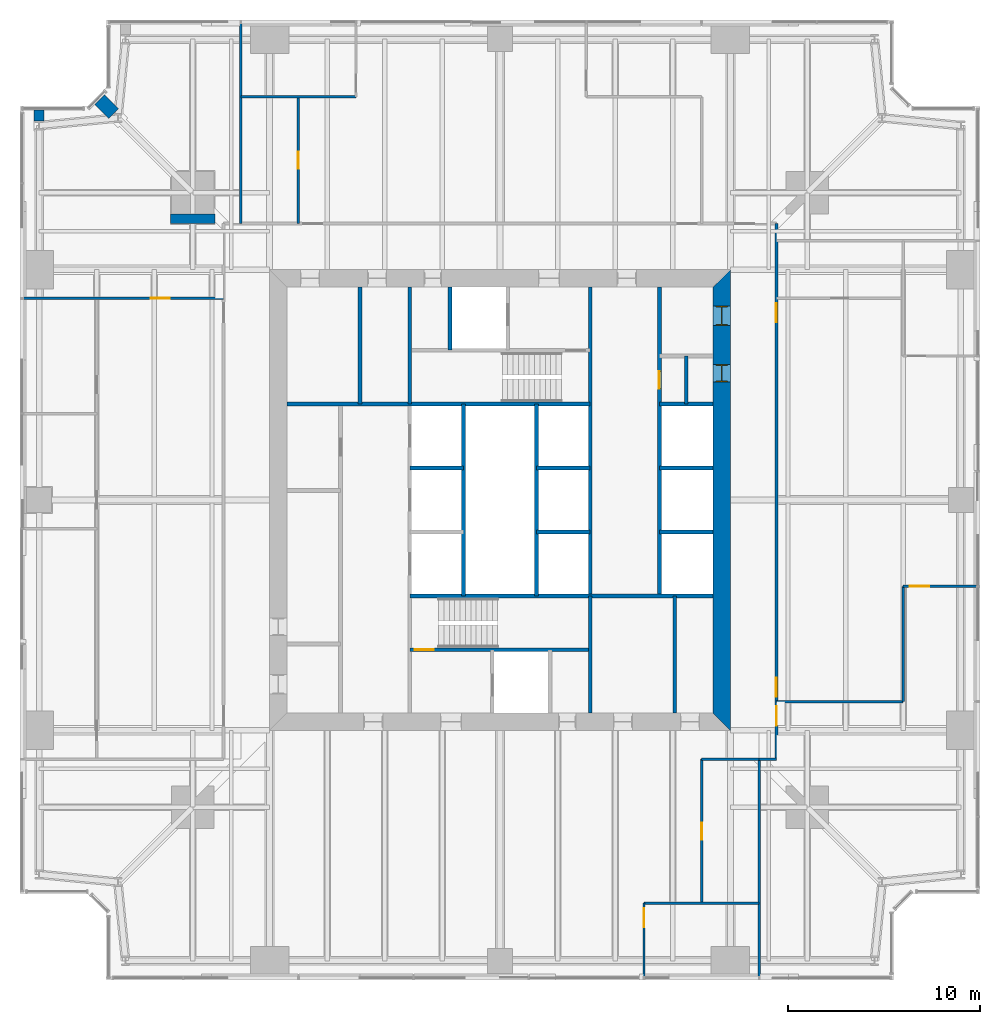
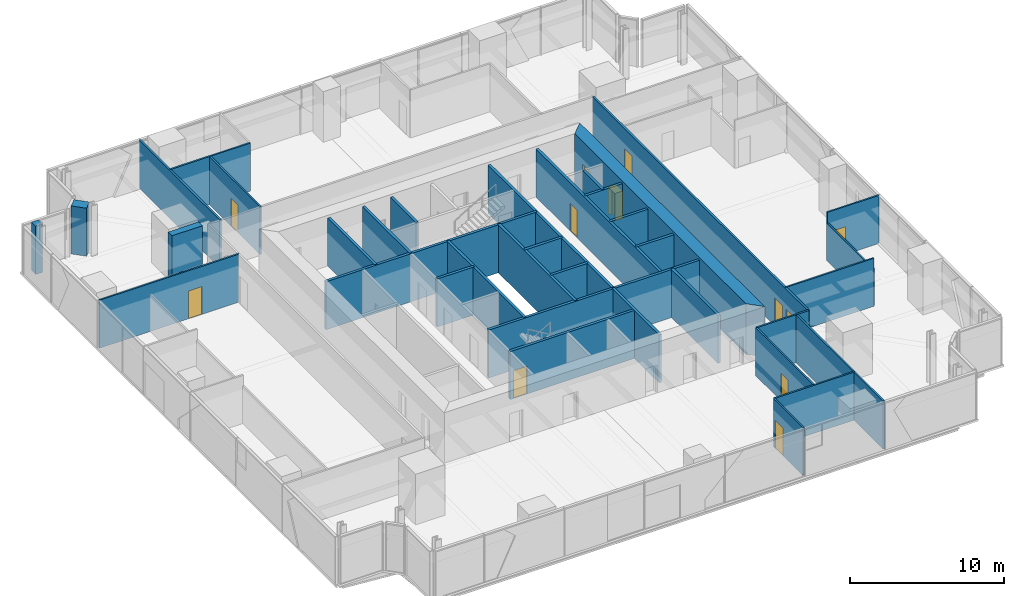
# One storey, part 10 of 13: 37 walls, 12 doors, 12 openings.
"""IFC4 building model written with IfcOpenShell, lengths in metres."""

from ifc_helpers import new_model, si_unit, direction, frame, frame_2d, origin, place, context, subcontext, project, spatial, polyline, rectangle, outline, extrude, material, layer, layer_set, type_object, element, fill, save


model = new_model("IFC4")

# Units and contexts
model_context = context("Model", 3, precision=1e-05, world=origin(), true_north=direction((0.0, 1.0)))
body_context = subcontext(model_context, "Body", "Model", "MODEL_VIEW")
ifc_project = project(units=[si_unit("LENGTHUNIT", "METRE"), si_unit("AREAUNIT", "SQUARE_METRE"), si_unit("VOLUMEUNIT", "CUBIC_METRE"), si_unit("PLANEANGLEUNIT", "RADIAN"), si_unit("MASSUNIT", "GRAM", prefix="KILO")], contexts=[model_context])

# Site, building, storey
site_placement = place(None, origin())
site = spatial("IfcSite", under=ifc_project, at=site_placement, CompositionType="ELEMENT")
building_placement = place(site_placement, origin())
building = spatial("IfcBuilding", under=site, at=building_placement, Name="Fenwick Lantern Interchange", CompositionType="ELEMENT")
storey_placement = place(building_placement, frame((0.0, 0.0, 158.39990234375)))
storey = spatial("IfcBuildingStorey", under=building, at=storey_placement, Name="L37", CompositionType="ELEMENT", Elevation=158.39990234375)

# Walls
ifc_material_1 = material(Name="Fire-rated gypsum board encasement on steel studs, 2 hour", Category="steel")
ifc_layer_1 = layer(ifc_material_1, 2.300048828125)
ifc_layer_set_1 = layer_set([ifc_layer_1], Name="COLUMN PIER 2300")
wall_type_1 = type_object("IfcWallType", Name="COLUMN PIER 2300", PredefinedType="PARTITIONING", material=ifc_layer_set_1)
wall_1_placement = place(storey_placement, frame((9.0, 39.39990234375, 0.0), z_axis=(0.0, 0.0, 1.0), x_axis=(0.0, 1.0, 0.0)))
element("IfcWall", 1, at=wall_1_placement, inside=storey, type_object=wall_type_1, Name="L37/W/PIER/M4", PredefinedType="PARTITIONING", context=body_context, shape_type="SweptSolid", body=[
    extrude(rectangle(XDim=0.5, YDim=2.300048828125, at=frame_2d((0.25, 0.0))), origin(), (0.0, 0.0, 1.0), 3.800048828125),
])
ifc_layer_2 = layer(ifc_material_1, 0.52392578125)
ifc_layer_set_2 = layer_set([ifc_layer_2], Name="COLUMN PIER 524")
wall_type_2 = type_object("IfcWallType", Name="COLUMN PIER 524", PredefinedType="PARTITIONING", material=ifc_layer_set_2)
wall_2_placement = place(storey_placement, frame((1.0, 45.300048828125, 0.0), z_axis=(0.0, 0.0, 1.0), x_axis=(0.0, -1.0, 0.0)))
element("IfcWall", 2, at=wall_2_placement, inside=storey, type_object=wall_type_2, Name="L37/W/PIER/CW1", PredefinedType="PARTITIONING", context=body_context, shape_type="SweptSolid", body=[
    extrude(rectangle(XDim=0.5625, YDim=0.52392578125, at=frame_2d((0.28125, 0.0))), origin(), (0.0, 0.0, 1.0), 3.800048828125),
])
ifc_layer_3 = layer(ifc_material_1, 0.736083984375)
ifc_layer_set_3 = layer_set([ifc_layer_3], Name="COLUMN PIER 736")
wall_type_3 = type_object("IfcWallType", Name="COLUMN PIER 736", PredefinedType="PARTITIONING", material=ifc_layer_set_3)
wall_3_placement = place(storey_placement, frame((4.141357421875, 45.858642578125, 0.0), z_axis=(0.0, 0.0, 1.0), x_axis=(0.707106781187, -0.707106781187, 0.0)))
element("IfcWall", 3, at=wall_3_placement, inside=storey, type_object=wall_type_3, Name="L37/W/PIER/CNR", PredefinedType="PARTITIONING", context=body_context, shape_type="SweptSolid", body=[
    extrude(rectangle(XDim=1.037841796875, YDim=0.736083984375, at=frame_2d((0.51904296875, 0.0))), origin(), (0.0, 0.0, 1.0), 3.800048828125),
])
ifc_material_2 = material(Name="Concrete masonry ASTM C90 Grade N", Category="masonry")
ifc_layer_4 = layer(ifc_material_2, 0.199951171875)
ifc_layer_set_4 = layer_set([ifc_layer_4], Name="Concrete masonry ASTM C90 Grade N")
wall_type_4 = type_object("IfcWallType", Name="CORE PARTITION 200", PredefinedType="PARTITIONING", material=ifc_layer_set_4)
wall_4_placement = place(storey_placement, frame((20.300048828125, 26.666748046875, 0.0), z_axis=(0.0, 0.0, 1.0), x_axis=(1.0, 0.0, 0.0)))
element("IfcWall", 4, at=wall_4_placement, inside=storey, type_object=wall_type_4, Name="L37/W/CORES/e2", PredefinedType="PARTITIONING", context=body_context, shape_type="SweptSolid", body=[
    extrude(rectangle(XDim=2.800048828125, YDim=0.199951171875, at=frame_2d((1.39990234375, 0.0))), origin(), (0.0, 0.0, 1.0), 3.800048828125),
])
wall_5_placement = place(storey_placement, frame((23.10009765625, 20.0, 0.0), z_axis=(0.0, 0.0, 1.0), x_axis=(0.0, 1.0, 0.0)))
element("IfcWall", 5, at=wall_5_placement, inside=storey, type_object=wall_type_4, Name="L37/W/CORES/e3", PredefinedType="PARTITIONING", context=body_context, shape_type="SweptSolid", body=[
    extrude(rectangle(XDim=10.0, YDim=0.199951171875, at=frame_2d((5.0, 0.0))), origin(), (0.0, 0.0, 1.0), 3.800048828125),
])
wall_6_placement = place(storey_placement, frame((34.10009765625, 13.89990234375, 0.0), z_axis=(0.0, 0.0, 1.0), x_axis=(0.0, 1.0, 0.0)))
element("IfcWall", 6, at=wall_6_placement, inside=storey, type_object=wall_type_4, Name="L37/W/CORES/i2", PredefinedType="PARTITIONING", context=body_context, shape_type="SweptSolid", body=[
    extrude(rectangle(XDim=6.10009765625, YDim=0.199951171875, at=frame_2d((3.050048828125, 0.0))), origin(), (0.0, 0.0, 1.0), 3.800048828125),
])

# Wall, opening, door
wall_7_placement = place(storey_placement, frame((33.300048828125, 36.10009765625, 0.0), z_axis=(0.0, 0.0, 1.0), x_axis=(0.0, -1.0, 0.0)))
wall_7 = element("IfcWall", 7, at=wall_7_placement, inside=storey, type_object=wall_type_4, Name="L37/W/COREN/a", PredefinedType="PARTITIONING", context=body_context, shape_type="SweptSolid", body=[
    extrude(rectangle(XDim=16.10009765625, YDim=0.199951171875, at=frame_2d((8.050048828125, 0.0))), origin(), (0.0, 0.0, 1.0), 3.800048828125),
])
opening_1_placement = place(wall_7_placement, frame((4.39990234375, 0.0, 0.0)))
opening_1 = element("IfcOpeningElement", 8, at=opening_1_placement, cuts=wall_7, Name="Opening L37-D017", PredefinedType="OPENING", context=body_context, shape_type="SweptSolid", body=[
    extrude(rectangle(XDim=0.89990234375, YDim=2.199951171875, at=frame_2d((0.449951171875, 1.10009765625))), frame((0.0, 0.10986328125, 0.0), z_axis=(0.0, -1.0, 0.0), x_axis=(1.0, 0.0, 0.0)), (0.0, 0.0, 1.0), 0.219970703125),
])
ifc_material_3 = material(Name="Steel door and frame", Category="steel")
door_type_1 = type_object("IfcDoorType", Name="SERVICE DOOR 900 X 2200", OperationType="SINGLE_SWING_LEFT", PredefinedType="DOOR", material=ifc_material_3)
door_1_placement = place(opening_1_placement, origin())
door_1 = element("IfcDoor", 9, at=door_1_placement, inside=storey, type_object=door_type_1, Name="Service door", OperationType="SINGLE_SWING_LEFT", OverallHeight=2.199951171875, OverallWidth=0.89990234375, PredefinedType="DOOR", context=body_context, shape_type="SweptSolid", body=[
    extrude(rectangle(XDim=0.89990234375, YDim=2.199951171875, at=frame_2d((0.449951171875, 1.10009765625))), frame((0.0, 0.02490234375, 0.0), z_axis=(0.0, -1.0, 0.0), x_axis=(1.0, 0.0, 0.0)), (0.0, 0.0, 1.0), 0.050048828125),
])
fill(opening_1, door_1)

# Walls
for number, where, z_axis, x_axis, name in (
    (10, (36.10009765625, 30.0, 0.0), (0.0, 0.0, 1.0), (-1.0, 0.0, 0.0), "L37/W/COREN/c2"),
    (11, (36.10009765625, 26.666748046875, 0.0), (0.0, 0.0, 1.0), (-1.0, 0.0, 0.0), "L37/W/COREN/d1"),
    (12, (36.10009765625, 23.333251953125, 0.0), (0.0, 0.0, 1.0), (-1.0, 0.0, 0.0), "L37/W/COREN/d2"),
    (13, (29.699951171875, 26.666748046875, 0.0), (0.0, 0.0, 1.0), (-1.0, 0.0, 0.0), "L37/W/COREN/e1"),
    (14, (29.699951171875, 23.333251953125, 0.0), (0.0, 0.0, 1.0), (-1.0, 0.0, 0.0), "L37/W/COREN/e2"),
):
    element("IfcWall", number, at=place(storey_placement, frame(where, z_axis=z_axis, x_axis=x_axis)), inside=storey, type_object=wall_type_4, Name=name, PredefinedType="PARTITIONING", context=body_context, shape_type="SweptSolid", body=[
        extrude(rectangle(XDim=2.800048828125, YDim=0.199951171875, at=frame_2d((1.39990234375, 0.0))), origin(), (0.0, 0.0, 1.0), 3.800048828125),
    ])
wall_8_placement = place(storey_placement, frame((26.89990234375, 30.0, 0.0), z_axis=(0.0, 0.0, 1.0), x_axis=(0.0, -1.0, 0.0)))
element("IfcWall", 15, at=wall_8_placement, inside=storey, type_object=wall_type_4, Name="L37/W/COREN/e3", PredefinedType="PARTITIONING", context=body_context, shape_type="SweptSolid", body=[
    extrude(rectangle(XDim=10.0, YDim=0.199951171875, at=frame_2d((5.0, 0.0))), origin(), (0.0, 0.0, 1.0), 3.800048828125),
])
wall_9_placement = place(storey_placement, frame((22.39990234375, 36.10009765625, 0.0), z_axis=(0.0, 0.0, 1.0), x_axis=(0.0, -1.0, 0.0)))
element("IfcWall", 16, at=wall_9_placement, inside=storey, type_object=wall_type_4, Name="L37/W/COREN/h2", PredefinedType="PARTITIONING", context=body_context, shape_type="SweptSolid", body=[
    extrude(rectangle(XDim=3.300048828125, YDim=0.199951171875, at=frame_2d((1.64990234375, 0.0))), origin(), (0.0, 0.0, 1.0), 3.800048828125),
])
wall_10_placement = place(storey_placement, frame((17.699951171875, 36.10009765625, 0.0), z_axis=(0.0, 0.0, 1.0), x_axis=(0.0, -1.0, 0.0)))
element("IfcWall", 17, at=wall_10_placement, inside=storey, type_object=wall_type_4, Name="L37/W/COREN/i2", PredefinedType="PARTITIONING", context=body_context, shape_type="SweptSolid", body=[
    extrude(rectangle(XDim=6.10009765625, YDim=0.199951171875, at=frame_2d((3.050048828125, 0.0))), origin(), (0.0, 0.0, 1.0), 3.800048828125),
])
wall_11_placement = place(storey_placement, frame((34.699951171875, 32.5, 0.0), z_axis=(0.0, 0.0, 1.0), x_axis=(0.0, -1.0, 0.0)))
element("IfcWall", 18, at=wall_11_placement, inside=storey, type_object=wall_type_4, Name="L37/W/COREN/px", PredefinedType="PARTITIONING", context=body_context, shape_type="SweptSolid", body=[
    extrude(rectangle(XDim=2.5, YDim=0.199951171875, at=frame_2d((1.25, 0.0))), origin(), (0.0, 0.0, 1.0), 3.800048828125),
])

# Wall, openings, doors
ifc_material_4 = material(Name="Concrete f'c 70 MPa", Category="concrete")
ifc_layer_5 = layer(ifc_material_4, 0.89990234375)
ifc_layer_set_5 = layer_set([ifc_layer_5], Name="CORE WALL 900")
wall_type_5 = type_object("IfcWallType", Name="CORE WALL 900", PredefinedType="SHEAR", material=ifc_layer_set_5)
wall_12_placement = place(storey_placement, frame((36.550048828125, 13.89990234375, 0.0), z_axis=(0.0, 0.0, 1.0), x_axis=(0.0, 1.0, 0.0)))
wall_12 = element("IfcWall", 19, at=wall_12_placement, inside=storey, type_object=wall_type_5, Name="L37/CORE/E", PredefinedType="SHEAR", context=body_context, shape_type="SweptSolid", body=[
    extrude(outline(polyline([(-0.89990234375, -0.449951171875), (23.10009765625, -0.449951171875), (22.199951171875, 0.449951171875), (0.0, 0.449951171875), (-0.89990234375, -0.449951171875)])), origin(), (0.0, 0.0, 1.0), 4.0),
])
opening_2_placement = place(wall_12_placement, frame((20.199951171875, 0.0, 0.0)))
opening_2 = element("IfcOpeningElement", 20, at=opening_2_placement, cuts=wall_12, Name="Opening L37-D016", PredefinedType="OPENING", context=body_context, shape_type="SweptSolid", body=[
    extrude(rectangle(XDim=1.0, YDim=2.199951171875, at=frame_2d((0.5, 1.10009765625))), frame((0.0, 0.4599609375, 0.0), z_axis=(0.0, -1.0, 0.0), x_axis=(1.0, 0.0, 0.0)), (0.0, 0.0, 1.0), 0.919921875),
])
opening_3_placement = place(wall_12_placement, frame((17.25, 0.0, 0.0)))
opening_3 = element("IfcOpeningElement", 21, at=opening_3_placement, cuts=wall_12, Name="Opening L37-D018", PredefinedType="OPENING", context=body_context, shape_type="SweptSolid", body=[
    extrude(rectangle(XDim=0.89990234375, YDim=2.199951171875, at=frame_2d((0.449951171875, 1.10009765625))), frame((0.0, 0.4599609375, 0.0), z_axis=(0.0, -1.0, 0.0), x_axis=(1.0, 0.0, 0.0)), (0.0, 0.0, 1.0), 0.919921875),
])
door_2_placement = place(opening_3_placement, origin())
door_2 = element("IfcDoor", 22, at=door_2_placement, inside=storey, type_object=door_type_1, Name="Service door", OperationType="SINGLE_SWING_RIGHT", OverallHeight=2.199951171875, OverallWidth=0.89990234375, PredefinedType="DOOR", context=body_context, shape_type="SweptSolid", body=[
    extrude(rectangle(XDim=0.89990234375, YDim=2.199951171875, at=frame_2d((0.449951171875, 1.10009765625))), frame((0.0, 0.02490234375, 0.0), z_axis=(0.0, -1.0, 0.0), x_axis=(1.0, 0.0, 0.0)), (0.0, 0.0, 1.0), 0.050048828125),
    extrude(outline(polyline([(0.0, 0.0), (0.0400390625, 0.0), (0.0400390625, 2.159912109375), (0.85986328125, 2.159912109375), (0.85986328125, 0.0), (0.89990234375, 0.0), (0.89990234375, 2.199951171875), (0.0, 2.199951171875), (0.0, 0.0)])), frame((0.0, 0.300048828125, 0.0), z_axis=(0.0, -1.0, 0.0), x_axis=(1.0, 0.0, 0.0)), (0.0, 0.0, 1.0), 0.60009765625),
])
fill(opening_3, door_2)
ifc_material_5 = material(Name="Hardwood door and steel frame", Category="steel")
door_type_2 = type_object("IfcDoorType", Name="WC DOOR 1000 X 2200", OperationType="SINGLE_SWING_LEFT", PredefinedType="DOOR", material=ifc_material_5)
door_3_placement = place(opening_2_placement, origin())
door_3 = element("IfcDoor", 23, at=door_3_placement, inside=storey, type_object=door_type_2, Name="Wc door", OperationType="SINGLE_SWING_RIGHT", OverallHeight=2.199951171875, OverallWidth=1.0, PredefinedType="DOOR", context=body_context, shape_type="SweptSolid", body=[
    extrude(rectangle(XDim=1.0, YDim=2.199951171875, at=frame_2d((0.5, 1.10009765625))), frame((0.0, 0.02490234375, 0.0), z_axis=(0.0, -1.0, 0.0), x_axis=(1.0, 0.0, 0.0)), (0.0, 0.0, 1.0), 0.050048828125),
    extrude(outline(polyline([(0.0, 0.0), (0.0400390625, 0.0), (0.0400390625, 2.159912109375), (0.9599609375, 2.159912109375), (0.9599609375, 0.0), (1.0, 0.0), (1.0, 2.199951171875), (0.0, 2.199951171875), (0.0, 0.0)])), frame((0.0, 0.300048828125, 0.0), z_axis=(0.0, -1.0, 0.0), x_axis=(1.0, 0.0, 0.0)), (0.0, 0.0, 1.0), 0.60009765625),
])
fill(opening_2, door_3)

# Wall
ifc_material_6 = material(Name="Gypsum board on steel studs, 1 hour", Category="steel")
ifc_layer_6 = layer(ifc_material_6, 0.14990234375)
ifc_layer_set_6 = layer_set([ifc_layer_6], Name="CORRIDOR WALL 150")
wall_type_6 = type_object("IfcWallType", Name="CORRIDOR WALL 150", PredefinedType="PARTITIONING", material=ifc_layer_set_6)
wall_13_placement = place(storey_placement, frame((38.5, 11.5, 0.0), z_axis=(0.0, 0.0, 1.0), x_axis=(1.0, 0.0, 0.0)))
element("IfcWall", 24, at=wall_13_placement, inside=storey, type_object=wall_type_6, Name="L37/W/OFF/E/CWJ", PredefinedType="PARTITIONING", context=body_context, shape_type="SweptSolid", body=[
    extrude(rectangle(XDim=0.89990234375, YDim=0.14990234375, at=frame_2d((0.449951171875, 0.0))), origin(), (0.0, 0.0, 1.0), 3.800048828125),
])

# Wall, openings, doors
wall_14_placement = place(storey_placement, frame((39.39990234375, 11.5, 0.0), z_axis=(0.0, 0.0, 1.0), x_axis=(0.0, 1.0, 0.0)))
wall_14 = element("IfcWall", 25, at=wall_14_placement, inside=storey, type_object=wall_type_6, Name="L37/W/OFF/E/CW2", PredefinedType="PARTITIONING", context=body_context, shape_type="SweptSolid", body=[
    extrude(rectangle(XDim=27.89990234375, YDim=0.14990234375, at=frame_2d((13.949951171875, 0.0))), origin(), (0.0, 0.0, 1.0), 3.800048828125),
])
opening_4_placement = place(wall_14_placement, frame((3.25, 0.0, 0.0)))
opening_4 = element("IfcOpeningElement", 26, at=opening_4_placement, cuts=wall_14, Name="Opening L37-D021", PredefinedType="OPENING", context=body_context, shape_type="SweptSolid", body=[
    extrude(rectangle(XDim=1.0, YDim=2.199951171875, at=frame_2d((0.5, 1.10009765625))), frame((0.0, 0.0849609375, 0.0), z_axis=(0.0, -1.0, 0.0), x_axis=(1.0, 0.0, 0.0)), (0.0, 0.0, 1.0), 0.169921875),
])
opening_5_placement = place(wall_14_placement, frame((22.75, 0.0, 0.0)))
opening_5 = element("IfcOpeningElement", 27, at=opening_5_placement, cuts=wall_14, Name="Opening L37-D022", PredefinedType="OPENING", context=body_context, shape_type="SweptSolid", body=[
    extrude(rectangle(XDim=1.0, YDim=2.199951171875, at=frame_2d((0.5, 1.10009765625))), frame((0.0, 0.0849609375, 0.0), z_axis=(0.0, -1.0, 0.0), x_axis=(1.0, 0.0, 0.0)), (0.0, 0.0, 1.0), 0.169921875),
])
opening_6_placement = place(wall_14_placement, frame((1.75, 0.0, 0.0)))
opening_6 = element("IfcOpeningElement", 28, at=opening_6_placement, cuts=wall_14, Name="Opening L37-D024", PredefinedType="OPENING", context=body_context, shape_type="SweptSolid", body=[
    extrude(rectangle(XDim=1.0, YDim=2.199951171875, at=frame_2d((0.5, 1.10009765625))), frame((0.0, 0.0849609375, 0.0), z_axis=(0.0, -1.0, 0.0), x_axis=(1.0, 0.0, 0.0)), (0.0, 0.0, 1.0), 0.169921875),
])
door_type_3 = type_object("IfcDoorType", Name="MEETING ROOM DOOR 1000 X 2200", OperationType="SINGLE_SWING_LEFT", PredefinedType="DOOR", material=ifc_material_5)
door_4_placement = place(opening_6_placement, origin())
door_4 = element("IfcDoor", 29, at=door_4_placement, inside=storey, type_object=door_type_3, Name="Meeting room door", OperationType="SINGLE_SWING_LEFT", OverallHeight=2.199951171875, OverallWidth=1.0, PredefinedType="DOOR", context=body_context, shape_type="SweptSolid", body=[
    extrude(rectangle(XDim=1.0, YDim=2.199951171875, at=frame_2d((0.5, 1.10009765625))), frame((0.0, 0.02490234375, 0.0), z_axis=(0.0, -1.0, 0.0), x_axis=(1.0, 0.0, 0.0)), (0.0, 0.0, 1.0), 0.050048828125),
])
fill(opening_6, door_4)
door_type_4 = type_object("IfcDoorType", Name="SUITE ENTRANCE DOOR 1000 X 2200", OperationType="SINGLE_SWING_LEFT", PredefinedType="DOOR", material=ifc_material_3)
door_5_placement = place(opening_4_placement, frame((1.0, 0.0, 0.0), z_axis=(0.0, 0.0, 1.0), x_axis=(-1.0, 0.0, 0.0)))
door_5 = element("IfcDoor", 30, at=door_5_placement, inside=storey, type_object=door_type_4, Name="Suite entrance door", OperationType="SINGLE_SWING_RIGHT", OverallHeight=2.199951171875, OverallWidth=1.0, PredefinedType="DOOR", context=body_context, shape_type="SweptSolid", body=[
    extrude(rectangle(XDim=1.0, YDim=2.199951171875, at=frame_2d((0.5, 1.10009765625))), frame((0.0, 0.02490234375, 0.0), z_axis=(0.0, -1.0, 0.0), x_axis=(1.0, 0.0, 0.0)), (0.0, 0.0, 1.0), 0.050048828125),
])
fill(opening_4, door_5)
door_6_placement = place(opening_5_placement, frame((1.0, 0.0, 0.0), z_axis=(0.0, 0.0, 1.0), x_axis=(-1.0, 0.0, 0.0)))
door_6 = element("IfcDoor", 31, at=door_6_placement, inside=storey, type_object=door_type_4, Name="Suite entrance door", OperationType="SINGLE_SWING_LEFT", OverallHeight=2.199951171875, OverallWidth=1.0, PredefinedType="DOOR", context=body_context, shape_type="SweptSolid", body=[
    extrude(rectangle(XDim=1.0, YDim=2.199951171875, at=frame_2d((0.5, 1.10009765625))), frame((0.0, 0.02490234375, 0.0), z_axis=(0.0, -1.0, 0.0), x_axis=(1.0, 0.0, 0.0)), (0.0, 0.0, 1.0), 0.050048828125),
])
fill(opening_5, door_6)

# Wall, opening, door
ifc_material_7 = material(Name="Gypsum board on steel studs, acoustic", Category="steel")
ifc_layer_7 = layer(ifc_material_7, 0.125)
ifc_layer_set_7 = layer_set([ifc_layer_7], Name="OFFICE PARTITION 125")
wall_type_7 = type_object("IfcWallType", Name="OFFICE PARTITION 125", PredefinedType="PARTITIONING", material=ifc_layer_set_7)
wall_15_placement = place(storey_placement, frame((32.5, 0.14990234375, 0.0), z_axis=(0.0, 0.0, 1.0), x_axis=(0.0, 1.0, 0.0)))
wall_15 = element("IfcWall", 32, at=wall_15_placement, inside=storey, type_object=wall_type_7, Name="L37/W/OFF/S/X325-1", PredefinedType="PARTITIONING", context=body_context, shape_type="SweptSolid", body=[
    extrude(rectangle(XDim=3.85009765625, YDim=0.125, at=frame_2d((1.925048828125, 0.0))), origin(), (0.0, 0.0, 1.0), 3.800048828125),
])
opening_7_placement = place(wall_15_placement, frame((2.60009765625, 0.0, 0.0)))
opening_7 = element("IfcOpeningElement", 33, at=opening_7_placement, cuts=wall_15, Name="Opening L37-D019", PredefinedType="OPENING", context=body_context, shape_type="SweptSolid", body=[
    extrude(rectangle(XDim=1.0, YDim=2.199951171875, at=frame_2d((0.5, 1.10009765625))), frame((0.0, 0.072509765625, 0.0), z_axis=(0.0, -1.0, 0.0), x_axis=(1.0, 0.0, 0.0)), (0.0, 0.0, 1.0), 0.14501953125),
])
door_7_placement = place(opening_7_placement, frame((1.0, 0.0, 0.0), z_axis=(0.0, 0.0, 1.0), x_axis=(-1.0, 0.0, 0.0)))
door_7 = element("IfcDoor", 34, at=door_7_placement, inside=storey, type_object=door_type_3, Name="Meeting room door", OperationType="SINGLE_SWING_LEFT", OverallHeight=2.199951171875, OverallWidth=1.0, PredefinedType="DOOR", context=body_context, shape_type="SweptSolid", body=[
    extrude(rectangle(XDim=1.0, YDim=2.199951171875, at=frame_2d((0.5, 1.10009765625))), frame((0.0, 0.02490234375, 0.0), z_axis=(0.0, -1.0, 0.0), x_axis=(1.0, 0.0, 0.0)), (0.0, 0.0, 1.0), 0.050048828125),
])
fill(opening_7, door_7)

wall_16_placement = place(storey_placement, frame((35.5, 4.0, 0.0), z_axis=(0.0, 0.0, 1.0), x_axis=(0.0, 1.0, 0.0)))
wall_16 = element("IfcWall", 35, at=wall_16_placement, inside=storey, type_object=wall_type_7, Name="L37/W/OFF/S/X355-1", PredefinedType="PARTITIONING", context=body_context, shape_type="SweptSolid", body=[
    extrude(rectangle(XDim=7.5, YDim=0.125, at=frame_2d((3.75, 0.0))), origin(), (0.0, 0.0, 1.0), 3.800048828125),
])
opening_8_placement = place(wall_16_placement, frame((3.300048828125, 0.0, 0.0)))
opening_8 = element("IfcOpeningElement", 36, at=opening_8_placement, cuts=wall_16, Name="Opening L37-D020", PredefinedType="OPENING", context=body_context, shape_type="SweptSolid", body=[
    extrude(rectangle(XDim=0.89990234375, YDim=2.199951171875, at=frame_2d((0.449951171875, 1.10009765625))), frame((0.0, 0.072509765625, 0.0), z_axis=(0.0, -1.0, 0.0), x_axis=(1.0, 0.0, 0.0)), (0.0, 0.0, 1.0), 0.14501953125),
])
door_type_5 = type_object("IfcDoorType", Name="OFFICE DOOR 900 X 2200", OperationType="SINGLE_SWING_LEFT", PredefinedType="DOOR", material=ifc_material_5)
door_8_placement = place(opening_8_placement, frame((0.89990234375, 0.0, 0.0), z_axis=(0.0, 0.0, 1.0), x_axis=(-1.0, 0.0, 0.0)))
door_8 = element("IfcDoor", 37, at=door_8_placement, inside=storey, type_object=door_type_5, Name="Office door", OperationType="SINGLE_SWING_RIGHT", OverallHeight=2.199951171875, OverallWidth=0.89990234375, PredefinedType="DOOR", context=body_context, shape_type="SweptSolid", body=[
    extrude(rectangle(XDim=0.89990234375, YDim=2.199951171875, at=frame_2d((0.449951171875, 1.10009765625))), frame((0.0, 0.02490234375, 0.0), z_axis=(0.0, -1.0, 0.0), x_axis=(1.0, 0.0, 0.0)), (0.0, 0.0, 1.0), 0.050048828125),
])
fill(opening_8, door_8)

# Walls
wall_17_placement = place(storey_placement, frame((32.5, 4.0, 0.0), z_axis=(0.0, 0.0, 1.0), x_axis=(1.0, 0.0, 0.0)))
element("IfcWall", 38, at=wall_17_placement, inside=storey, type_object=wall_type_7, Name="L37/W/OFF/S/Y40-1", PredefinedType="PARTITIONING", context=body_context, shape_type="SweptSolid", body=[
    extrude(rectangle(XDim=6.0, YDim=0.125, at=frame_2d((3.0, 0.0))), origin(), (0.0, 0.0, 1.0), 3.800048828125),
])
wall_18_placement = place(storey_placement, frame((35.5, 11.5, 0.0), z_axis=(0.0, 0.0, 1.0), x_axis=(1.0, 0.0, 0.0)))
element("IfcWall", 39, at=wall_18_placement, inside=storey, type_object=wall_type_7, Name="L37/W/OFF/S/CWS1", PredefinedType="PARTITIONING", context=body_context, shape_type="SweptSolid", body=[
    extrude(rectangle(XDim=3.0, YDim=0.125, at=frame_2d((1.5, 0.0))), origin(), (0.0, 0.0, 1.0), 3.800048828125),
])
wall_19_placement = place(storey_placement, frame((38.5, 0.14990234375, 0.0), z_axis=(0.0, 0.0, 1.0), x_axis=(0.0, 1.0, 0.0)))
element("IfcWall", 40, at=wall_19_placement, inside=storey, type_object=wall_type_7, Name="L37/W/OFF/E/BACK", PredefinedType="PARTITIONING", context=body_context, shape_type="SweptSolid", body=[
    extrude(rectangle(XDim=11.35009765625, YDim=0.125, at=frame_2d((5.675048828125, 0.0))), origin(), (0.0, 0.0, 1.0), 3.800048828125),
])
wall_20_placement = place(storey_placement, frame((46.0, 14.5, 0.0), z_axis=(0.0, 0.0, 1.0), x_axis=(-1.0, 0.0, 0.0)))
element("IfcWall", 41, at=wall_20_placement, inside=storey, type_object=wall_type_7, Name="L37/W/OFF/E/X145-1", PredefinedType="PARTITIONING", context=body_context, shape_type="SweptSolid", body=[
    extrude(rectangle(XDim=6.60009765625, YDim=0.125, at=frame_2d((3.300048828125, 0.0))), origin(), (0.0, 0.0, 1.0), 3.800048828125),
])

# Wall, opening, door
wall_21_placement = place(storey_placement, frame((49.85009765625, 20.5, 0.0), z_axis=(0.0, 0.0, 1.0), x_axis=(-1.0, 0.0, 0.0)))
wall_21 = element("IfcWall", 42, at=wall_21_placement, inside=storey, type_object=wall_type_7, Name="L37/W/OFF/E/X205-1", PredefinedType="PARTITIONING", context=body_context, shape_type="SweptSolid", body=[
    extrude(rectangle(XDim=3.85009765625, YDim=0.125, at=frame_2d((1.925048828125, 0.0))), origin(), (0.0, 0.0, 1.0), 3.800048828125),
])
opening_9_placement = place(wall_21_placement, frame((2.5, 0.0, 0.0)))
opening_9 = element("IfcOpeningElement", 43, at=opening_9_placement, cuts=wall_21, Name="Opening L37-D023", PredefinedType="OPENING", context=body_context, shape_type="SweptSolid", body=[
    extrude(rectangle(XDim=1.0, YDim=2.199951171875, at=frame_2d((0.5, 1.10009765625))), frame((0.0, 0.072509765625, 0.0), z_axis=(0.0, -1.0, 0.0), x_axis=(1.0, 0.0, 0.0)), (0.0, 0.0, 1.0), 0.14501953125),
])
door_9_placement = place(opening_9_placement, frame((1.0, 0.0, 0.0), z_axis=(0.0, 0.0, 1.0), x_axis=(-1.0, 0.0, 0.0)))
door_9 = element("IfcDoor", 44, at=door_9_placement, inside=storey, type_object=door_type_3, Name="Meeting room door", OperationType="SINGLE_SWING_RIGHT", OverallHeight=2.199951171875, OverallWidth=1.0, PredefinedType="DOOR", context=body_context, shape_type="SweptSolid", body=[
    extrude(rectangle(XDim=1.0, YDim=2.199951171875, at=frame_2d((0.5, 1.10009765625))), frame((0.0, 0.02490234375, 0.0), z_axis=(0.0, -1.0, 0.0), x_axis=(1.0, 0.0, 0.0)), (0.0, 0.0, 1.0), 0.050048828125),
])
fill(opening_9, door_9)

# Wall
wall_22_placement = place(storey_placement, frame((46.0, 14.5, 0.0), z_axis=(0.0, 0.0, 1.0), x_axis=(0.0, 1.0, 0.0)))
element("IfcWall", 45, at=wall_22_placement, inside=storey, type_object=wall_type_7, Name="L37/W/OFF/E/Y40-1", PredefinedType="PARTITIONING", context=body_context, shape_type="SweptSolid", body=[
    extrude(rectangle(XDim=6.0, YDim=0.125, at=frame_2d((3.0, 0.0))), origin(), (0.0, 0.0, 1.0), 2.954345703125),
])

# Wall, opening, door
wall_23_placement = place(storey_placement, frame((14.5, 46.0, 0.0), z_axis=(0.0, 0.0, 1.0), x_axis=(0.0, -1.0, 0.0)))
wall_23 = element("IfcWall", 46, at=wall_23_placement, inside=storey, type_object=wall_type_7, Name="L37/W/OFF/N/X355-1", PredefinedType="PARTITIONING", context=body_context, shape_type="SweptSolid", body=[
    extrude(rectangle(XDim=6.60009765625, YDim=0.125, at=frame_2d((3.300048828125, 0.0))), origin(), (0.0, 0.0, 1.0), 3.800048828125),
])
opening_10_placement = place(wall_23_placement, frame((2.85009765625, 0.0, 0.0)))
opening_10 = element("IfcOpeningElement", 47, at=opening_10_placement, cuts=wall_23, Name="Opening L37-D032", PredefinedType="OPENING", context=body_context, shape_type="SweptSolid", body=[
    extrude(rectangle(XDim=0.89990234375, YDim=2.199951171875, at=frame_2d((0.449951171875, 1.10009765625))), frame((0.0, 0.072509765625, 0.0), z_axis=(0.0, -1.0, 0.0), x_axis=(1.0, 0.0, 0.0)), (0.0, 0.0, 1.0), 0.14501953125),
])
door_10_placement = place(opening_10_placement, frame((0.89990234375, 0.0, 0.0), z_axis=(0.0, 0.0, 1.0), x_axis=(-1.0, 0.0, 0.0)))
door_10 = element("IfcDoor", 48, at=door_10_placement, inside=storey, type_object=door_type_5, Name="Office door", OperationType="SINGLE_SWING_RIGHT", OverallHeight=2.199951171875, OverallWidth=0.89990234375, PredefinedType="DOOR", context=body_context, shape_type="SweptSolid", body=[
    extrude(rectangle(XDim=0.89990234375, YDim=2.199951171875, at=frame_2d((0.449951171875, 1.10009765625))), frame((0.0, 0.02490234375, 0.0), z_axis=(0.0, -1.0, 0.0), x_axis=(1.0, 0.0, 0.0)), (0.0, 0.0, 1.0), 0.050048828125),
])
fill(opening_10, door_10)

# Wall
wall_24_placement = place(storey_placement, frame((17.5, 46.0, 0.0), z_axis=(0.0, 0.0, 1.0), x_axis=(-1.0, 0.0, 0.0)))
element("IfcWall", 49, at=wall_24_placement, inside=storey, type_object=wall_type_7, Name="L37/W/OFF/N/Y40-2", PredefinedType="PARTITIONING", context=body_context, shape_type="SweptSolid", body=[
    extrude(rectangle(XDim=6.0, YDim=0.125, at=frame_2d((3.0, 0.0))), origin(), (0.0, 0.0, 1.0), 3.800048828125),
])

# Wall, opening, door
wall_25_placement = place(storey_placement, frame((0.14990234375, 35.5, 0.0), z_axis=(0.0, 0.0, 1.0), x_axis=(1.0, 0.0, 0.0)))
wall_25 = element("IfcWall", 50, at=wall_25_placement, inside=storey, type_object=wall_type_7, Name="L37/W/OFF/W/X145-1", PredefinedType="PARTITIONING", context=body_context, shape_type="SweptSolid", body=[
    extrude(rectangle(XDim=10.4501953125, YDim=0.125, at=frame_2d((5.22509765625, 0.0))), origin(), (0.0, 0.0, 1.0), 3.800048828125),
])
opening_11_placement = place(wall_25_placement, frame((6.64990234375, 0.0, 0.0)))
opening_11 = element("IfcOpeningElement", 51, at=opening_11_placement, cuts=wall_25, Name="Opening L37-D035", PredefinedType="OPENING", context=body_context, shape_type="SweptSolid", body=[
    extrude(rectangle(XDim=1.0, YDim=2.199951171875, at=frame_2d((0.5, 1.10009765625))), frame((0.0, 0.072509765625, 0.0), z_axis=(0.0, -1.0, 0.0), x_axis=(1.0, 0.0, 0.0)), (0.0, 0.0, 1.0), 0.14501953125),
])
door_11_placement = place(opening_11_placement, origin())
door_11 = element("IfcDoor", 52, at=door_11_placement, inside=storey, type_object=door_type_3, Name="Meeting room door", OperationType="SINGLE_SWING_RIGHT", OverallHeight=2.199951171875, OverallWidth=1.0, PredefinedType="DOOR", context=body_context, shape_type="SweptSolid", body=[
    extrude(rectangle(XDim=1.0, YDim=2.199951171875, at=frame_2d((0.5, 1.10009765625))), frame((0.0, 0.02490234375, 0.0), z_axis=(0.0, -1.0, 0.0), x_axis=(1.0, 0.0, 0.0)), (0.0, 0.0, 1.0), 0.050048828125),
])
fill(opening_11, door_11)

ifc_material_8 = material(Name="Concrete f'c 45 MPa", Category="concrete")
ifc_layer_8 = layer(ifc_material_8, 0.199951171875)
ifc_layer_set_8 = layer_set([ifc_layer_8], Name="STAIR CORE WALL 200")
wall_type_8 = type_object("IfcWallType", Name="STAIR CORE WALL 200", PredefinedType="SOLIDWALL", material=ifc_layer_set_8)
wall_26_placement = place(storey_placement, frame((20.300048828125, 17.199951171875, 0.0), z_axis=(0.0, 0.0, 1.0), x_axis=(1.0, 0.0, 0.0)))
wall_26 = element("IfcWall", 53, at=wall_26_placement, inside=storey, type_object=wall_type_8, Name="L37/W/CORES/g1", PredefinedType="SOLIDWALL", context=body_context, shape_type="SweptSolid", body=[
    extrude(rectangle(XDim=9.39990234375, YDim=0.199951171875, at=frame_2d((4.699951171875, 0.0))), origin(), (0.0, 0.0, 1.0), 3.800048828125),
])
opening_12_placement = place(wall_26_placement, frame((0.25, 0.0, 0.0)))
opening_12 = element("IfcOpeningElement", 54, at=opening_12_placement, cuts=wall_26, Name="Opening L37-D003", PredefinedType="OPENING", context=body_context, shape_type="SweptSolid", body=[
    extrude(rectangle(XDim=1.0, YDim=2.199951171875, at=frame_2d((0.5, 1.10009765625))), frame((0.0, 0.10986328125, 0.0), z_axis=(0.0, -1.0, 0.0), x_axis=(1.0, 0.0, 0.0)), (0.0, 0.0, 1.0), 0.219970703125),
])
door_type_6 = type_object("IfcDoorType", Name="STAIR DOOR 1000 X 2200", OperationType="SINGLE_SWING_LEFT", PredefinedType="DOOR", material=ifc_material_3)
door_12_placement = place(opening_12_placement, origin())
door_12 = element("IfcDoor", 55, at=door_12_placement, inside=storey, type_object=door_type_6, Name="Stair door", OperationType="SINGLE_SWING_LEFT", OverallHeight=2.199951171875, OverallWidth=1.0, PredefinedType="DOOR", context=body_context, shape_type="SweptSolid", body=[
    extrude(rectangle(XDim=1.0, YDim=2.199951171875, at=frame_2d((0.5, 1.10009765625))), frame((0.0, 0.02490234375, 0.0), z_axis=(0.0, -1.0, 0.0), x_axis=(1.0, 0.0, 0.0)), (0.0, 0.0, 1.0), 0.050048828125),
])
fill(opening_12, door_12)

# Walls
wall_27_placement = place(storey_placement, frame((20.300048828125, 20.0, 0.0), z_axis=(0.0, 0.0, 1.0), x_axis=(1.0, 0.0, 0.0)))
element("IfcWall", 56, at=wall_27_placement, inside=storey, type_object=wall_type_8, Name="L37/W/CORES/g2", PredefinedType="SOLIDWALL", context=body_context, shape_type="SweptSolid", body=[
    extrude(rectangle(XDim=15.800048828125, YDim=0.199951171875, at=frame_2d((7.89990234375, 0.0))), origin(), (0.0, 0.0, 1.0), 3.800048828125),
])
wall_28_placement = place(storey_placement, frame((29.699951171875, 13.89990234375, 0.0), z_axis=(0.0, 0.0, 1.0), x_axis=(0.0, 1.0, 0.0)))
element("IfcWall", 57, at=wall_28_placement, inside=storey, type_object=wall_type_8, Name="L37/W/CORES/i1", PredefinedType="SOLIDWALL", context=body_context, shape_type="SweptSolid", body=[
    extrude(rectangle(XDim=6.10009765625, YDim=0.199951171875, at=frame_2d((3.050048828125, 0.0))), origin(), (0.0, 0.0, 1.0), 3.800048828125),
])
wall_29_placement = place(storey_placement, frame((29.699951171875, 36.10009765625, 0.0), z_axis=(0.0, 0.0, 1.0), x_axis=(0.0, -1.0, 0.0)))
element("IfcWall", 58, at=wall_29_placement, inside=storey, type_object=wall_type_8, Name="L37/W/COREN/b", PredefinedType="SOLIDWALL", context=body_context, shape_type="SweptSolid", body=[
    extrude(rectangle(XDim=16.10009765625, YDim=0.199951171875, at=frame_2d((8.050048828125, 0.0))), origin(), (0.0, 0.0, 1.0), 3.800048828125),
])
wall_30_placement = place(storey_placement, frame((29.699951171875, 30.0, 0.0), z_axis=(0.0, 0.0, 1.0), x_axis=(-1.0, 0.0, 0.0)))
element("IfcWall", 59, at=wall_30_placement, inside=storey, type_object=wall_type_8, Name="L37/W/COREN/g2", PredefinedType="SOLIDWALL", context=body_context, shape_type="SweptSolid", body=[
    extrude(rectangle(XDim=15.800048828125, YDim=0.199951171875, at=frame_2d((7.89990234375, 0.0))), origin(), (0.0, 0.0, 1.0), 3.800048828125),
])
wall_31_placement = place(storey_placement, frame((20.300048828125, 36.10009765625, 0.0), z_axis=(0.0, 0.0, 1.0), x_axis=(0.0, -1.0, 0.0)))
element("IfcWall", 60, at=wall_31_placement, inside=storey, type_object=wall_type_8, Name="L37/W/COREN/i1", PredefinedType="SOLIDWALL", context=body_context, shape_type="SweptSolid", body=[
    extrude(rectangle(XDim=6.10009765625, YDim=0.199951171875, at=frame_2d((3.050048828125, 0.0))), origin(), (0.0, 0.0, 1.0), 3.800048828125),
])
ifc_material_9 = material(Name="Gypsum board on steel studs, 1 hour acoustic", Category="steel")
ifc_layer_9 = layer(ifc_material_9, 0.14990234375)
ifc_layer_set_9 = layer_set([ifc_layer_9], Name="TENANT WALL 150")
wall_type_9 = type_object("IfcWallType", Name="TENANT WALL 150", PredefinedType="PARTITIONING", material=ifc_layer_set_9)
wall_32_placement = place(storey_placement, frame((11.5, 49.85009765625, 0.0), z_axis=(0.0, 0.0, 1.0), x_axis=(0.0, -1.0, 0.0)))
element("IfcWall", 61, at=wall_32_placement, inside=storey, type_object=wall_type_9, Name="L37/W/OFF/W/BACK", PredefinedType="PARTITIONING", context=body_context, shape_type="SweptSolid", body=[
    extrude(rectangle(XDim=10.4501953125, YDim=0.14990234375, at=frame_2d((5.22509765625, 0.0))), origin(), (0.0, 0.0, 1.0), 3.800048828125),
])

save(model, "model.ifc")
